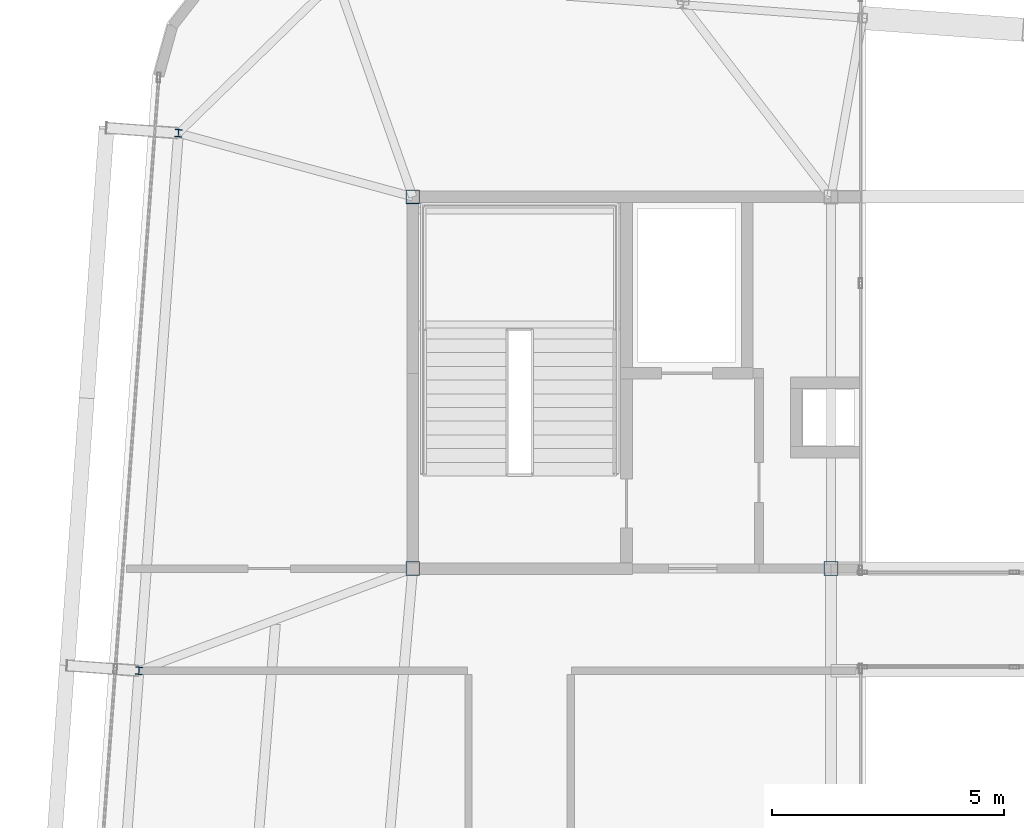
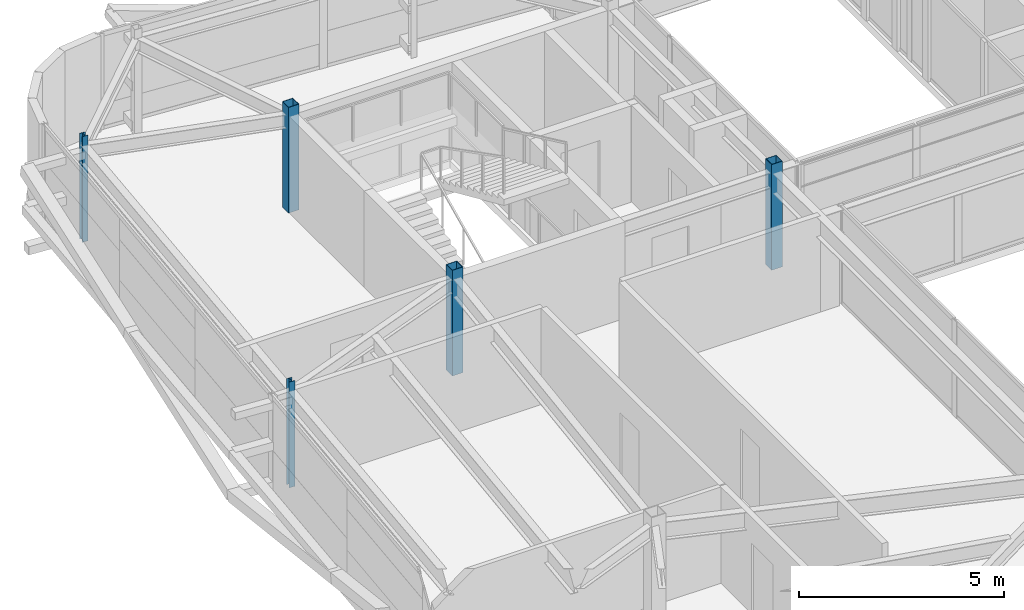
# One storey, part 3 of 40: 5 columns.
"""IFC4 building model written with IfcOpenShell, lengths in metres."""

from ifc_helpers import new_model, si_unit, direction, frame, origin, origin_2d, place, context, subcontext, project, spatial, hollow_rectangle, i_section, extrude, source, transform, mapped, material, material_profile, profile_set, type_object, element, save


model = new_model("IFC4")

# Units and contexts
model_context = context("Model", 3, precision=1e-05, world=origin(), true_north=direction((0.0, 1.0)))
body_context = subcontext(model_context, "Body", "Model", "MODEL_VIEW")
ifc_project = project(units=[si_unit("LENGTHUNIT", "METRE"), si_unit("AREAUNIT", "SQUARE_METRE"), si_unit("VOLUMEUNIT", "CUBIC_METRE"), si_unit("PLANEANGLEUNIT", "RADIAN"), si_unit("MASSUNIT", "GRAM", prefix="KILO")], contexts=[model_context])

# Site, building, storey
site_placement = place(None, origin())
site = spatial("IfcSite", under=ifc_project, at=site_placement, CompositionType="ELEMENT")
building_placement = place(site_placement, origin())
building = spatial("IfcBuilding", under=site, at=building_placement, Name="Taldren Reach Tower", CompositionType="ELEMENT")
storey_placement = place(building_placement, frame((0.0, 0.0, 233.449951171875)))
storey = spatial("IfcBuildingStorey", under=building, at=storey_placement, Name="L71", CompositionType="ELEMENT", Elevation=233.449951171875)

# Columns
ifc_material_1 = material(Name="Steel Gr 450 (C450L0)", Category="steel")
ifc_material_profile_1 = material_profile(ifc_material_1, hollow_rectangle(XDim=0.300048828125, YDim=0.300048828125, WallThickness=0.012451171875, at=origin_2d()), Name="300x300x12.5SHS")
ifc_profile_set_1 = profile_set([ifc_material_profile_1], Name="Steel Gr 450 (C450L0)")
column_type_1 = type_object("IfcColumnType", Name="COL-SHS300", PredefinedType="COLUMN", material=ifc_profile_set_1)
shared_shape_1 = source(origin(), body_context, "Body", "SweptSolid", [
    extrude(hollow_rectangle(XDim=0.300048828125, YDim=0.300048828125, WallThickness=0.012451171875, at=origin_2d()), origin(), (0.0, 0.0, 1.0), 3.150146484375),
])
for number, where, z_axis, x_axis, name in (
    (1, (19.0, 24.0, 0.0), (0.0, 0.0, 1.0), (1.0, 0.0, 0.0), "Mega column MC-C1 L71"),
    (2, (28.0, 24.0, 0.0), (0.0, 0.0, 1.0), (1.0, 0.0, 0.0), "Mega column MC-C2 L71"),
    (3, (19.0, 32.0, 0.0), (0.0, 0.0, 1.0), (1.0, 0.0, 0.0), "Mega column MC-C5 L71"),
):
    element("IfcColumn", number, at=place(storey_placement, frame(where, z_axis=z_axis, x_axis=x_axis)), inside=storey, type_object=column_type_1, Name=name, PredefinedType="COLUMN", context=body_context, shape_type="MappedRepresentation", body=[
        mapped(shared_shape_1, transform((0.0, 0.0, 0.0), scale=1.0)),
    ])
ifc_material_2 = material(Name="Steel Gr 350 (350PLUS)", Category="steel")
ifc_material_profile_2 = material_profile(ifc_material_2, i_section(OverallWidth=0.154052734375, OverallDepth=0.162109375, WebThickness=0.008056640625, FlangeThickness=0.011474609375, at=origin_2d()), Name="150UC37.2")
ifc_profile_set_2 = profile_set([ifc_material_profile_2], Name="Steel Gr 350 (350PLUS)")
column_type_2 = type_object("IfcColumnType", Name="COL-UC150", PredefinedType="COLUMN", material=ifc_profile_set_2)
shared_shape_2 = source(origin(), body_context, "Body", "SweptSolid", [
    extrude(i_section(OverallWidth=0.154052734375, OverallDepth=0.162109375, WebThickness=0.008056640625, FlangeThickness=0.011474609375, at=origin_2d()), origin(), (0.0, 0.0, 1.0), 3.150146484375),
])
for number, where, z_axis, x_axis, name in (
    (4, (13.108642578125, 21.80029296875, 0.0), (0.0, 0.0, 1.0), (0.997314477224, -0.073238197128, 0.0), "Block B5 perimeter column W2 L71"),
    (5, (13.958251953125, 33.369140625, 0.0), (0.0, 0.0, 1.0), (0.997314477224, -0.073238197128, 0.0), "Block B5 perimeter column W3 L71"),
):
    element("IfcColumn", number, at=place(storey_placement, frame(where, z_axis=z_axis, x_axis=x_axis)), inside=storey, type_object=column_type_2, Name=name, PredefinedType="COLUMN", context=body_context, shape_type="MappedRepresentation", body=[
        mapped(shared_shape_2, transform((0.0, 0.0, 0.0), scale=1.0)),
    ])

save(model, "model.ifc")
